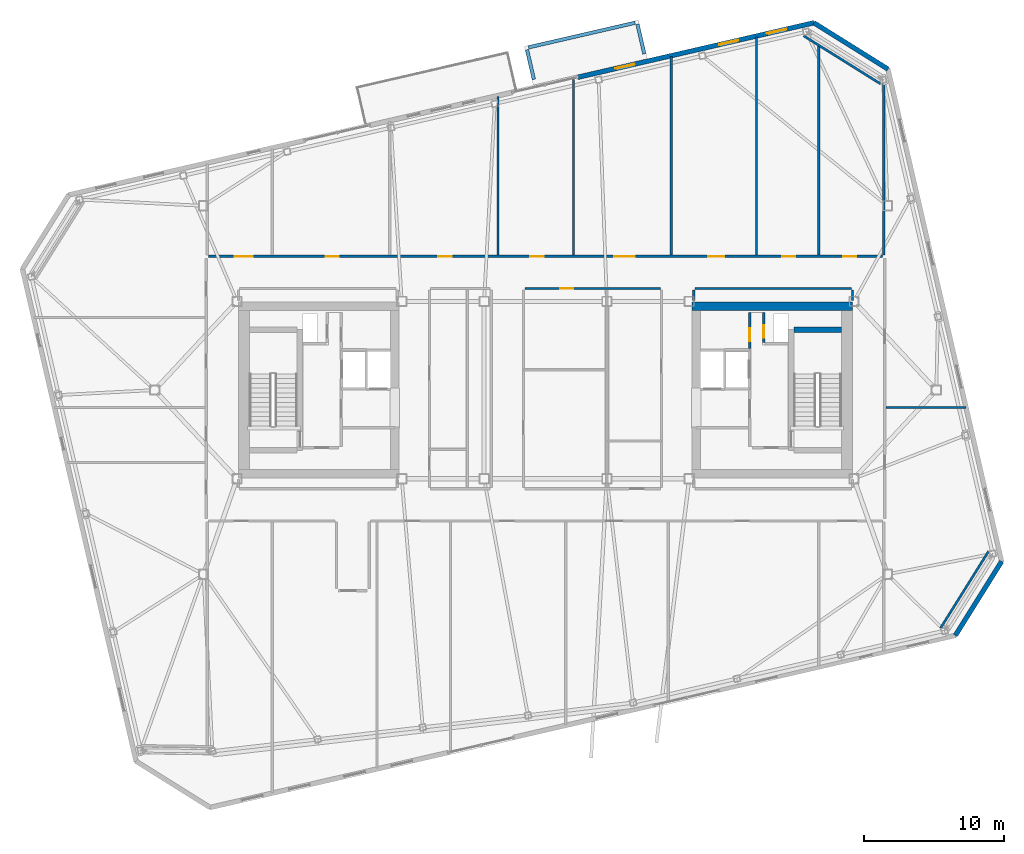
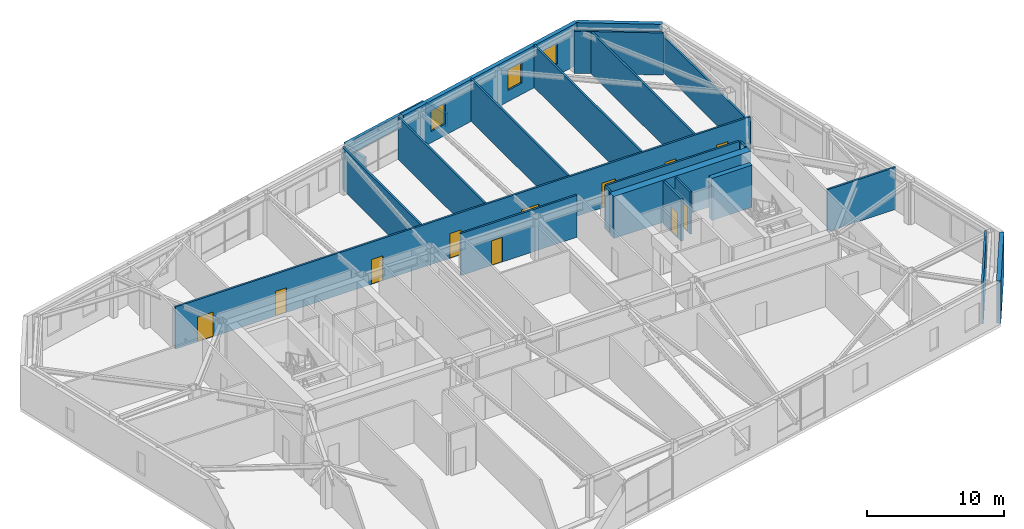
# One storey, part 19 of 24: 24 walls, 11 doors, 3 windows, 14 openings.
"""IFC4 building model written with IfcOpenShell, lengths in metres."""

from ifc_helpers import new_model, si_unit, direction, frame, frame_2d, origin, place, context, subcontext, project, spatial, rectangle, extrude, material, layer, layer_set, type_object, element, fill, save


model = new_model("IFC4")

# Units and contexts
model_context = context("Model", 3, precision=1e-05, world=origin(), true_north=direction((0.0, 1.0)))
body_context = subcontext(model_context, "Body", "Model", "MODEL_VIEW")
ifc_project = project(units=[si_unit("LENGTHUNIT", "METRE"), si_unit("AREAUNIT", "SQUARE_METRE"), si_unit("VOLUMEUNIT", "CUBIC_METRE"), si_unit("PLANEANGLEUNIT", "RADIAN"), si_unit("MASSUNIT", "GRAM", prefix="KILO")], contexts=[model_context])

# Site, building, storey
site_placement = place(None, origin())
site = spatial("IfcSite", under=ifc_project, at=site_placement, CompositionType="ELEMENT")
building_placement = place(site_placement, origin())
building = spatial("IfcBuilding", under=site, at=building_placement, Name="Tavrogorsk Clinical Tower", CompositionType="ELEMENT")
storey_placement = place(building_placement, frame((0.0, 0.0, 321.0)))
storey = spatial("IfcBuildingStorey", under=building, at=storey_placement, Name="L75", CompositionType="ELEMENT", Elevation=321.0)

# Wall, opening, door
ifc_material_1 = material(Name="Concrete B60", Category="concrete")
ifc_layer_1 = layer(ifc_material_1, 0.199951171875)
ifc_layer_set_1 = layer_set([ifc_layer_1], Name="Concrete B60")
wall_type_1 = type_object("IfcWallType", Name="CoreFireWall_200", PredefinedType="SOLIDWALL", material=ifc_layer_set_1)
wall_1_placement = place(storey_placement, frame((14.639892578125, 2.9599609375, 0.0), z_axis=(0.0, 0.0, 1.0), x_axis=(0.0, 1.0, 0.0)))
wall_1 = element("IfcWall", 1, at=wall_1_placement, inside=storey, type_object=wall_type_1, Name="L75 Core East North Core Room East Wall", PredefinedType="SOLIDWALL", context=body_context, shape_type="SweptSolid", body=[
    extrude(rectangle(XDim=2.60009765625, YDim=0.199951171875, at=frame_2d((1.300048828125, 0.0))), origin(), (0.0, 0.0, 1.0), 3.739990234375),
])
opening_1_placement = place(wall_1_placement, frame((0.52001953125, 0.0, 0.0)))
opening_1 = element("IfcOpeningElement", 2, at=opening_1_placement, cuts=wall_1, Name="Opening ID-02", PredefinedType="OPENING", context=body_context, shape_type="SweptSolid", body=[
    extrude(rectangle(XDim=0.949951171875, YDim=2.199951171875, at=frame_2d((0.47509765625, 1.10009765625))), frame((0.0, 0.10986328125, 0.0), z_axis=(0.0, -1.0, 0.0), x_axis=(1.0, 0.0, 0.0)), (0.0, 0.0, 1.0), 0.219970703125),
])
ifc_material_2 = material(Name="Laminated timber leaf on aluminium frame", Category="wood")
door_type_1 = type_object("IfcDoorType", Name="InteriorDoor_ID02_950", OperationType="NOTDEFINED", PredefinedType="DOOR", material=ifc_material_2)
door_1_placement = place(opening_1_placement, origin())
door_1 = element("IfcDoor", 3, at=door_1_placement, inside=storey, type_object=door_type_1, Name="L75 Core East Core Telemetry Room Door", OperationType="SINGLE_SWING_LEFT", OverallHeight=2.199951171875, OverallWidth=0.949951171875, PredefinedType="DOOR", context=body_context, shape_type="SweptSolid", body=[
    extrude(rectangle(XDim=0.949951171875, YDim=2.199951171875, at=frame_2d((0.47509765625, 1.10009765625))), frame((0.0, 0.02490234375, 0.0), z_axis=(0.0, -1.0, 0.0), x_axis=(1.0, 0.0, 0.0)), (0.0, 0.0, 1.0), 0.050048828125),
])
fill(opening_1, door_1)

# Walls
ifc_material_3 = material(Name="Lightweight concrete blockwork B15", Category="masonry")
ifc_layer_2 = layer(ifc_material_3, 0.159912109375)
ifc_layer_set_2 = layer_set([ifc_layer_2], Name="Lightweight concrete blockwork B15")
wall_type_2 = type_object("IfcWallType", Name="PartitionWall_160", PredefinedType="PARTITIONING", material=ifc_layer_set_2)
for number, where, z_axis, x_axis, name in (
    (4, (28.30029296875, -17.064697265625, 0.0), (0.0, 0.0, 1.0), (0.529914601736, 0.848051009591, 0.0), "L75 Corner Exoskeleton Brace Furring Wall 1"),
    (5, (24.018310546875, 21.9306640625, 0.0), (0.0, 0.0, 1.0), (-0.848051009591, 0.529914601736, 0.0), "L75 Corner Exoskeleton Brace Furring Wall 2"),
):
    element("IfcWall", number, at=place(storey_placement, frame(where, z_axis=z_axis, x_axis=x_axis)), inside=storey, type_object=wall_type_2, Name=name, PredefinedType="PARTITIONING", context=body_context, shape_type="SweptSolid", body=[
        extrude(rectangle(XDim=6.50537109375, YDim=0.159912109375, at=frame_2d((3.252685546875, 0.0))), origin(), (0.0, 0.0, 1.0), 3.739990234375),
    ])

# Wall, openings, doors
wall_2_placement = place(storey_placement, frame((-24.14501953125, 9.580078125, 0.0), z_axis=(0.0, 0.0, 1.0), x_axis=(1.0, 0.0, 0.0)))
wall_2 = element("IfcWall", 6, at=wall_2_placement, inside=storey, type_object=wall_type_2, Name="L75 Corridor Partition 02", PredefinedType="PARTITIONING", context=body_context, shape_type="SweptSolid", body=[
    extrude(rectangle(XDim=48.2900390625, YDim=0.159912109375, at=frame_2d((24.14501953125, 0.0))), origin(), (0.0, 0.0, 1.0), 3.739990234375),
])
opening_2_placement = place(wall_2_placement, frame((1.869140625, 0.0, 0.0)))
opening_2 = element("IfcOpeningElement", 7, at=opening_2_placement, cuts=wall_2, Name="Opening ID-01", PredefinedType="OPENING", context=body_context, shape_type="SweptSolid", body=[
    extrude(rectangle(XDim=1.300048828125, YDim=2.199951171875, at=frame_2d((0.64990234375, 1.10009765625))), frame((0.0, 0.08984375, 0.0), z_axis=(0.0, -1.0, 0.0), x_axis=(1.0, 0.0, 0.0)), (0.0, 0.0, 1.0), 0.179931640625),
])
opening_3_placement = place(wall_2_placement, frame((8.385009765625, 0.0, 0.0)))
opening_3 = element("IfcOpeningElement", 8, at=opening_3_placement, cuts=wall_2, Name="Opening ID-02", PredefinedType="OPENING", context=body_context, shape_type="SweptSolid", body=[
    extrude(rectangle(XDim=0.949951171875, YDim=2.199951171875, at=frame_2d((0.47509765625, 1.10009765625))), frame((0.0, 0.08984375, 0.0), z_axis=(0.0, -1.0, 0.0), x_axis=(1.0, 0.0, 0.0)), (0.0, 0.0, 1.0), 0.179931640625),
])
opening_4_placement = place(wall_2_placement, frame((16.47509765625, 0.0, 0.0)))
opening_4 = element("IfcOpeningElement", 9, at=opening_4_placement, cuts=wall_2, Name="Opening ID-02", PredefinedType="OPENING", context=body_context, shape_type="SweptSolid", body=[
    extrude(rectangle(XDim=0.949951171875, YDim=2.199951171875, at=frame_2d((0.47509765625, 1.10009765625))), frame((0.0, 0.08984375, 0.0), z_axis=(0.0, -1.0, 0.0), x_axis=(1.0, 0.0, 0.0)), (0.0, 0.0, 1.0), 0.179931640625),
])
opening_5_placement = place(wall_2_placement, frame((23.054931640625, 0.0, 0.0)))
opening_5 = element("IfcOpeningElement", 10, at=opening_5_placement, cuts=wall_2, Name="Opening ID-02", PredefinedType="OPENING", context=body_context, shape_type="SweptSolid", body=[
    extrude(rectangle(XDim=0.949951171875, YDim=2.199951171875, at=frame_2d((0.47509765625, 1.10009765625))), frame((0.0, 0.08984375, 0.0), z_axis=(0.0, -1.0, 0.0), x_axis=(1.0, 0.0, 0.0)), (0.0, 0.0, 1.0), 0.179931640625),
])
opening_6_placement = place(wall_2_placement, frame((29.0849609375, 0.0, 0.0)))
opening_6 = element("IfcOpeningElement", 11, at=opening_6_placement, cuts=wall_2, Name="Opening ID-05", PredefinedType="OPENING", context=body_context, shape_type="SweptSolid", body=[
    extrude(rectangle(XDim=1.449951171875, YDim=2.199951171875, at=frame_2d((0.72509765625, 1.10009765625))), frame((0.0, 0.08984375, 0.0), z_axis=(0.0, -1.0, 0.0), x_axis=(1.0, 0.0, 0.0)), (0.0, 0.0, 1.0), 0.179931640625),
])
opening_7_placement = place(wall_2_placement, frame((35.820068359375, 0.0, 0.0)))
opening_7 = element("IfcOpeningElement", 12, at=opening_7_placement, cuts=wall_2, Name="Opening ID-06", PredefinedType="OPENING", context=body_context, shape_type="SweptSolid", body=[
    extrude(rectangle(XDim=1.14990234375, YDim=2.199951171875, at=frame_2d((0.574951171875, 1.10009765625))), frame((0.0, 0.08984375, 0.0), z_axis=(0.0, -1.0, 0.0), x_axis=(1.0, 0.0, 0.0)), (0.0, 0.0, 1.0), 0.179931640625),
])
opening_8_placement = place(wall_2_placement, frame((41.10498046875, 0.0, 0.0)))
opening_8 = element("IfcOpeningElement", 13, at=opening_8_placement, cuts=wall_2, Name="Opening ID-02", PredefinedType="OPENING", context=body_context, shape_type="SweptSolid", body=[
    extrude(rectangle(XDim=0.949951171875, YDim=2.199951171875, at=frame_2d((0.47509765625, 1.10009765625))), frame((0.0, 0.08984375, 0.0), z_axis=(0.0, -1.0, 0.0), x_axis=(1.0, 0.0, 0.0)), (0.0, 0.0, 1.0), 0.179931640625),
])
opening_9_placement = place(wall_2_placement, frame((45.4658203125, 0.0, 0.0)))
opening_9 = element("IfcOpeningElement", 14, at=opening_9_placement, cuts=wall_2, Name="Opening ID-02", PredefinedType="OPENING", context=body_context, shape_type="SweptSolid", body=[
    extrude(rectangle(XDim=0.949951171875, YDim=2.199951171875, at=frame_2d((0.47509765625, 1.10009765625))), frame((0.0, 0.08984375, 0.0), z_axis=(0.0, -1.0, 0.0), x_axis=(1.0, 0.0, 0.0)), (0.0, 0.0, 1.0), 0.179931640625),
])
ifc_material_4 = material(Name="Antibacterial HPL bariatric ward double door")
door_type_2 = type_object("IfcDoorType", Name="DoubleWardDoor_ID05_1450", OperationType="DOUBLE_SWING_LEFT", PredefinedType="DOOR", material=ifc_material_4)
door_2_placement = place(opening_6_placement, origin())
door_2 = element("IfcDoor", 15, at=door_2_placement, inside=storey, type_object=door_type_2, Name="L75 North Step-Down Telemetry Ward 05A Door", OperationType="DOUBLE_SWING_LEFT", OverallHeight=2.199951171875, OverallWidth=1.449951171875, PredefinedType="DOOR", context=body_context, shape_type="SweptSolid", body=[
    extrude(rectangle(XDim=1.449951171875, YDim=2.199951171875, at=frame_2d((0.72509765625, 1.10009765625))), frame((0.0, 0.02490234375, 0.0), z_axis=(0.0, -1.0, 0.0), x_axis=(1.0, 0.0, 0.0)), (0.0, 0.0, 1.0), 0.050048828125),
])
fill(opening_6, door_2)
door_3_placement = place(opening_3_placement, origin())
door_3 = element("IfcDoor", 16, at=door_3_placement, inside=storey, type_object=door_type_1, Name="L75 North Clinical Examination Suite 02 Door", OperationType="SINGLE_SWING_RIGHT", OverallHeight=2.199951171875, OverallWidth=0.949951171875, PredefinedType="DOOR", context=body_context, shape_type="SweptSolid", body=[
    extrude(rectangle(XDim=0.949951171875, YDim=2.199951171875, at=frame_2d((0.47509765625, 1.10009765625))), frame((0.0, 0.02490234375, 0.0), z_axis=(0.0, -1.0, 0.0), x_axis=(1.0, 0.0, 0.0)), (0.0, 0.0, 1.0), 0.050048828125),
])
fill(opening_3, door_3)
door_4_placement = place(opening_4_placement, origin())
door_4 = element("IfcDoor", 17, at=door_4_placement, inside=storey, type_object=door_type_1, Name="L75 Terrace Recuperation Day Room & Lounge Door", OperationType="SINGLE_SWING_LEFT", OverallHeight=2.199951171875, OverallWidth=0.949951171875, PredefinedType="DOOR", context=body_context, shape_type="SweptSolid", body=[
    extrude(rectangle(XDim=0.949951171875, YDim=2.199951171875, at=frame_2d((0.47509765625, 1.10009765625))), frame((0.0, 0.02490234375, 0.0), z_axis=(0.0, -1.0, 0.0), x_axis=(1.0, 0.0, 0.0)), (0.0, 0.0, 1.0), 0.050048828125),
])
fill(opening_4, door_4)
door_5_placement = place(opening_5_placement, origin())
door_5 = element("IfcDoor", 18, at=door_5_placement, inside=storey, type_object=door_type_1, Name="L75 North Physiotherapy Rehab Studio 04 Door", OperationType="SINGLE_SWING_RIGHT", OverallHeight=2.199951171875, OverallWidth=0.949951171875, PredefinedType="DOOR", context=body_context, shape_type="SweptSolid", body=[
    extrude(rectangle(XDim=0.949951171875, YDim=2.199951171875, at=frame_2d((0.47509765625, 1.10009765625))), frame((0.0, 0.02490234375, 0.0), z_axis=(0.0, -1.0, 0.0), x_axis=(1.0, 0.0, 0.0)), (0.0, 0.0, 1.0), 0.050048828125),
])
fill(opening_5, door_5)
door_6_placement = place(opening_8_placement, origin())
door_6 = element("IfcDoor", 19, at=door_6_placement, inside=storey, type_object=door_type_1, Name="L75 North Physician Consultation Office 06 Door", OperationType="SINGLE_SWING_LEFT", OverallHeight=2.199951171875, OverallWidth=0.949951171875, PredefinedType="DOOR", context=body_context, shape_type="SweptSolid", body=[
    extrude(rectangle(XDim=0.949951171875, YDim=2.199951171875, at=frame_2d((0.47509765625, 1.10009765625))), frame((0.0, 0.02490234375, 0.0), z_axis=(0.0, -1.0, 0.0), x_axis=(1.0, 0.0, 0.0)), (0.0, 0.0, 1.0), 0.050048828125),
])
fill(opening_8, door_6)
door_7_placement = place(opening_9_placement, origin())
door_7 = element("IfcDoor", 20, at=door_7_placement, inside=storey, type_object=door_type_1, Name="L75 North Patient & Family Quiet Lounge 07 Door", OperationType="SINGLE_SWING_RIGHT", OverallHeight=2.199951171875, OverallWidth=0.949951171875, PredefinedType="DOOR", context=body_context, shape_type="SweptSolid", body=[
    extrude(rectangle(XDim=0.949951171875, YDim=2.199951171875, at=frame_2d((0.47509765625, 1.10009765625))), frame((0.0, 0.02490234375, 0.0), z_axis=(0.0, -1.0, 0.0), x_axis=(1.0, 0.0, 0.0)), (0.0, 0.0, 1.0), 0.050048828125),
])
fill(opening_9, door_7)
ifc_material_5 = material(Name="Antibacterial HPL procedure door on aluminium frame", Category="aluminium")
door_type_3 = type_object("IfcDoorType", Name="LabDoor_ID06_1150", OperationType="NOTDEFINED", PredefinedType="DOOR", material=ifc_material_5)
door_8_placement = place(opening_7_placement, origin())
door_8 = element("IfcDoor", 21, at=door_8_placement, inside=storey, type_object=door_type_3, Name="L75 North Clinical Examination Suite 05B Door", OperationType="SINGLE_SWING_RIGHT", OverallHeight=2.199951171875, OverallWidth=1.14990234375, PredefinedType="DOOR", context=body_context, shape_type="SweptSolid", body=[
    extrude(rectangle(XDim=1.14990234375, YDim=2.199951171875, at=frame_2d((0.574951171875, 1.10009765625))), frame((0.0, 0.02490234375, 0.0), z_axis=(0.0, -1.0, 0.0), x_axis=(1.0, 0.0, 0.0)), (0.0, 0.0, 1.0), 0.050048828125),
])
fill(opening_7, door_8)
ifc_material_6 = material(Name="Antibacterial HPL medical leaf on aluminium frame", Category="aluminium")
door_type_4 = type_object("IfcDoorType", Name="WardBedDoor_ID01_1300", OperationType="NOTDEFINED", PredefinedType="DOOR", material=ifc_material_6)
door_9_placement = place(opening_2_placement, origin())
door_9 = element("IfcDoor", 22, at=door_9_placement, inside=storey, type_object=door_type_4, Name="L75 North Inpatient Clinical Ward 01 Door", OperationType="SINGLE_SWING_LEFT", OverallHeight=2.199951171875, OverallWidth=1.300048828125, PredefinedType="DOOR", context=body_context, shape_type="SweptSolid", body=[
    extrude(rectangle(XDim=1.300048828125, YDim=2.199951171875, at=frame_2d((0.64990234375, 1.10009765625))), frame((0.0, 0.02490234375, 0.0), z_axis=(0.0, -1.0, 0.0), x_axis=(1.0, 0.0, 0.0)), (0.0, 0.0, 1.0), 0.050048828125),
])
fill(opening_2, door_9)

# Walls
wall_3_placement = place(storey_placement, frame((21.9150390625, 7.27001953125, 0.0), z_axis=(0.0, 0.0, 1.0), x_axis=(-1.0, 0.0, 0.0)))
element("IfcWall", 23, at=wall_3_placement, inside=storey, type_object=wall_type_2, Name="L75 Corridor Partition 09", PredefinedType="PARTITIONING", context=body_context, shape_type="SweptSolid", body=[
    extrude(rectangle(XDim=11.199951171875, YDim=0.159912109375, at=frame_2d((5.60009765625, 0.0))), origin(), (0.0, 0.0, 1.0), 3.739990234375),
])
for number, where, z_axis, x_axis, name in (
    (24, (10.6298828125, 7.18505859375, 0.0), (0.0, 0.0, 1.0), (0.0, -1.0, 0.0), "L75 Corridor Partition 10"),
    (25, (22.0, 6.419921875, 0.0), (0.0, 0.0, 1.0), (0.0, 1.0, 0.0), "L75 Corridor Partition 14"),
):
    element("IfcWall", number, at=place(storey_placement, frame(where, z_axis=z_axis, x_axis=x_axis)), inside=storey, type_object=wall_type_2, Name=name, PredefinedType="PARTITIONING", context=body_context, shape_type="SweptSolid", body=[
        extrude(rectangle(XDim=0.76513671875, YDim=0.159912109375, at=frame_2d((0.382568359375, 0.0))), origin(), (0.0, 0.0, 1.0), 3.739990234375),
    ])

# Wall, opening, door
wall_4_placement = place(storey_placement, frame((8.235107421875, 7.27001953125, 0.0), z_axis=(0.0, 0.0, 1.0), x_axis=(-1.0, 0.0, 0.0)))
wall_4 = element("IfcWall", 26, at=wall_4_placement, inside=storey, type_object=wall_type_2, Name="L75 Corridor Partition 15", PredefinedType="PARTITIONING", context=body_context, shape_type="SweptSolid", body=[
    extrude(rectangle(XDim=9.72021484375, YDim=0.159912109375, at=frame_2d((4.860107421875, 0.0))), origin(), (0.0, 0.0, 1.0), 3.739990234375),
])
opening_10_placement = place(wall_4_placement, frame((6.23583984375, 0.0, 0.0)))
opening_10 = element("IfcOpeningElement", 27, at=opening_10_placement, cuts=wall_4, Name="Opening ID-02", PredefinedType="OPENING", context=body_context, shape_type="SweptSolid", body=[
    extrude(rectangle(XDim=0.949951171875, YDim=2.199951171875, at=frame_2d((0.47509765625, 1.10009765625))), frame((0.0, 0.08984375, 0.0), z_axis=(0.0, -1.0, 0.0), x_axis=(1.0, 0.0, 0.0)), (0.0, 0.0, 1.0), 0.179931640625),
])
door_10_placement = place(opening_10_placement, origin())
door_10 = element("IfcDoor", 28, at=door_10_placement, inside=storey, type_object=door_type_1, Name="L75 Nurses' Station & Triage Hub Door", OperationType="SINGLE_SWING_LEFT", OverallHeight=2.199951171875, OverallWidth=0.949951171875, PredefinedType="DOOR", context=body_context, shape_type="SweptSolid", body=[
    extrude(rectangle(XDim=0.949951171875, YDim=2.199951171875, at=frame_2d((0.47509765625, 1.10009765625))), frame((0.0, 0.02490234375, 0.0), z_axis=(0.0, -1.0, 0.0), x_axis=(1.0, 0.0, 0.0)), (0.0, 0.0, 1.0), 0.050048828125),
])
fill(opening_10, door_10)

# Walls
wall_5_placement = place(storey_placement, frame((24.22998046875, 9.6650390625, 0.0), z_axis=(0.0, 0.0, 1.0), x_axis=(0.0, 1.0, 0.0)))
element("IfcWall", 29, at=wall_5_placement, inside=storey, type_object=wall_type_2, Name="L75 NE Wing Closure Partition", PredefinedType="PARTITIONING", context=body_context, shape_type="SweptSolid", body=[
    extrude(rectangle(XDim=12.90625, YDim=0.159912109375, at=frame_2d((6.453125, 0.0))), origin(), (0.0, 0.0, 1.0), 3.18505859375),
])
wall_6_placement = place(storey_placement, frame((-3.39990234375, 9.6650390625, 0.0), z_axis=(0.0, 0.0, 1.0), x_axis=(0.0, 1.0, 0.0)))
element("IfcWall", 30, at=wall_6_placement, inside=storey, type_object=wall_type_2, Name="L75 North Room Partition 3", PredefinedType="PARTITIONING", context=body_context, shape_type="SweptSolid", body=[
    extrude(rectangle(XDim=11.35498046875, YDim=0.159912109375, at=frame_2d((5.677490234375, 0.0))), origin(), (0.0, 0.0, 1.0), 3.739990234375),
])
wall_7_placement = place(storey_placement, frame((2.0, 9.6650390625, 0.0), z_axis=(0.0, 0.0, 1.0), x_axis=(0.0, 1.0, 0.0)))
element("IfcWall", 31, at=wall_7_placement, inside=storey, type_object=wall_type_2, Name="L75 North Room Partition 4", PredefinedType="PARTITIONING", context=body_context, shape_type="SweptSolid", body=[
    extrude(rectangle(XDim=12.6015625, YDim=0.159912109375, at=frame_2d((6.30078125, 0.0))), origin(), (0.0, 0.0, 1.0), 3.739990234375),
])
wall_8_placement = place(storey_placement, frame((15.1201171875, 9.6650390625, 0.0), z_axis=(0.0, 0.0, 1.0), x_axis=(0.0, 1.0, 0.0)))
element("IfcWall", 32, at=wall_8_placement, inside=storey, type_object=wall_type_2, Name="L75 North Room Partition 5", PredefinedType="PARTITIONING", context=body_context, shape_type="SweptSolid", body=[
    extrude(rectangle(XDim=15.630615234375, YDim=0.159912109375, at=frame_2d((7.8154296875, 0.0))), origin(), (0.0, 0.0, 1.0), 3.739990234375),
])
wall_9_placement = place(storey_placement, frame((19.580078125, 9.6650390625, 0.0), z_axis=(0.0, 0.0, 1.0), x_axis=(0.0, 1.0, 0.0)))
element("IfcWall", 33, at=wall_9_placement, inside=storey, type_object=wall_type_2, Name="L75 North Room Partition 6", PredefinedType="PARTITIONING", context=body_context, shape_type="SweptSolid", body=[
    extrude(rectangle(XDim=15.04833984375, YDim=0.159912109375, at=frame_2d((7.524169921875, 0.0))), origin(), (0.0, 0.0, 1.0), 3.739990234375),
])
wall_10_placement = place(storey_placement, frame((9.010009765625, 9.6650390625, 0.0), z_axis=(0.0, 0.0, 1.0), x_axis=(0.0, 1.0, 0.0)))
element("IfcWall", 34, at=wall_10_placement, inside=storey, type_object=wall_type_2, Name="L75 North Sub-Partition 5", PredefinedType="PARTITIONING", context=body_context, shape_type="SweptSolid", body=[
    extrude(rectangle(XDim=14.219970703125, YDim=0.159912109375, at=frame_2d((7.10986328125, 0.0))), origin(), (0.0, 0.0, 1.0), 3.739990234375),
])
wall_11_placement = place(storey_placement, frame((24.39501953125, -1.25, 0.0), z_axis=(0.0, 0.0, 1.0), x_axis=(1.0, 0.0, 0.0)))
element("IfcWall", 35, at=wall_11_placement, inside=storey, type_object=wall_type_2, Name="L75 E Wing Divider 1", PredefinedType="PARTITIONING", context=body_context, shape_type="SweptSolid", body=[
    extrude(rectangle(XDim=5.724853515625, YDim=0.159912109375, at=frame_2d((2.8623046875, 0.0))), origin(), (0.0, 0.0, 1.0), 3.739990234375),
])

# Wall, openings, windows
ifc_material_7 = material(Name="Precast concrete B45 with limestone cladding", Category="masonry")
ifc_layer_3 = layer(ifc_material_7, 0.340087890625)
ifc_layer_set_3 = layer_set([ifc_layer_3], Name="Precast concrete B45 with limestone cladding")
wall_type_3 = type_object("IfcWallType", Name="PrecastLimestoneWall_340", PredefinedType="STANDARD", material=ifc_layer_set_3)
wall_12_placement = place(storey_placement, frame((19.2294921875, 26.316162109375, 0.0), z_axis=(0.0, 0.0, 1.0), x_axis=(-0.974372473594, -0.224940620392, 0.0)))
wall_12 = element("IfcWall", 36, at=wall_12_placement, inside=storey, type_object=wall_type_3, Name="L75 N Limestone Facade Wall 1", PredefinedType="STANDARD", context=body_context, shape_type="SweptSolid", body=[
    extrude(rectangle(XDim=17.36572265625, YDim=0.340087890625, at=frame_2d((8.682861328125, 0.0))), origin(), (0.0, 0.0, 1.0), 3.739990234375),
])
opening_11_placement = place(wall_12_placement, frame((13.187255859375, 0.0, 1.0)))
opening_11 = element("IfcOpeningElement", 37, at=opening_11_placement, cuts=wall_12, Name="Opening WN-17", PredefinedType="OPENING", context=body_context, shape_type="SweptSolid", body=[
    extrude(rectangle(XDim=1.39990234375, YDim=1.85009765625, at=frame_2d((0.699951171875, 0.925048828125))), frame((0.0, 0.179931640625, 0.0), z_axis=(0.0, -1.0, 0.0), x_axis=(1.0, 0.0, 0.0)), (0.0, 0.0, 1.0), 0.360107421875),
])
opening_12_placement = place(wall_12_placement, frame((5.552978515625, 0.0, 1.0)))
opening_12 = element("IfcOpeningElement", 38, at=opening_12_placement, cuts=wall_12, Name="Opening WN-17", PredefinedType="OPENING", context=body_context, shape_type="SweptSolid", body=[
    extrude(rectangle(XDim=1.39990234375, YDim=1.85009765625, at=frame_2d((0.699951171875, 0.925048828125))), frame((0.0, 0.179931640625, 0.0), z_axis=(0.0, -1.0, 0.0), x_axis=(1.0, 0.0, 0.0)), (0.0, 0.0, 1.0), 0.360107421875),
])
opening_13_placement = place(wall_12_placement, frame((2.041259765625, 0.0, 1.0)))
opening_13 = element("IfcOpeningElement", 39, at=opening_13_placement, cuts=wall_12, Name="Opening WN-17", PredefinedType="OPENING", context=body_context, shape_type="SweptSolid", body=[
    extrude(rectangle(XDim=1.39990234375, YDim=1.85009765625, at=frame_2d((0.699951171875, 0.925048828125))), frame((0.0, 0.179931640625, 0.0), z_axis=(0.0, -1.0, 0.0), x_axis=(1.0, 0.0, 0.0)), (0.0, 0.0, 1.0), 0.360107421875),
])
ifc_material_8 = material(Name="Thermally broken aluminium frame and triple IGU", Category="aluminium")
window_type = type_object("IfcWindowType", Name="TelemetryWin_1400x1850", PartitioningType="SINGLE_PANEL", PredefinedType="WINDOW", material=ifc_material_8)
window_1_placement = place(opening_11_placement, origin())
window_1 = element("IfcWindow", 40, at=window_1_placement, inside=storey, type_object=window_type, Name="L75 N Chicago Window 07", OverallHeight=1.85009765625, OverallWidth=1.39990234375, PartitioningType="SINGLE_PANEL", PredefinedType="WINDOW", context=body_context, shape_type="SweptSolid", body=[
    extrude(rectangle(XDim=1.39990234375, YDim=1.85009765625, at=frame_2d((0.699951171875, 0.925048828125))), frame((0.0, 0.030029296875, 0.0), z_axis=(0.0, -1.0, 0.0), x_axis=(1.0, 0.0, 0.0)), (0.0, 0.0, 1.0), 0.06005859375),
])
fill(opening_11, window_1)
window_2_placement = place(opening_12_placement, origin())
window_2 = element("IfcWindow", 41, at=window_2_placement, inside=storey, type_object=window_type, Name="L75 N Chicago Window 09", OverallHeight=1.85009765625, OverallWidth=1.39990234375, PartitioningType="SINGLE_PANEL", PredefinedType="WINDOW", context=body_context, shape_type="SweptSolid", body=[
    extrude(rectangle(XDim=1.39990234375, YDim=1.85009765625, at=frame_2d((0.699951171875, 0.925048828125))), frame((0.0, 0.030029296875, 0.0), z_axis=(0.0, -1.0, 0.0), x_axis=(1.0, 0.0, 0.0)), (0.0, 0.0, 1.0), 0.06005859375),
])
fill(opening_12, window_2)
window_3_placement = place(opening_13_placement, origin())
window_3 = element("IfcWindow", 42, at=window_3_placement, inside=storey, type_object=window_type, Name="L75 N Chicago Window 10", OverallHeight=1.85009765625, OverallWidth=1.39990234375, PartitioningType="SINGLE_PANEL", PredefinedType="WINDOW", context=body_context, shape_type="SweptSolid", body=[
    extrude(rectangle(XDim=1.39990234375, YDim=1.85009765625, at=frame_2d((0.699951171875, 0.925048828125))), frame((0.0, 0.030029296875, 0.0), z_axis=(0.0, -1.0, 0.0), x_axis=(1.0, 0.0, 0.0)), (0.0, 0.0, 1.0), 0.06005859375),
])
fill(opening_13, window_3)

# Walls
for number, where, z_axis, x_axis, name in (
    (43, (29.365966796875, -17.5888671875, 0.0), (0.0, 0.0, 1.0), (0.529907862057, 0.848055220921, 0.0), "L75 Chamfered Corner Wall 1"),
    (44, (24.54248046875, 22.996337890625, 0.0), (0.0, 0.0, 1.0), (-0.848055220921, 0.529907862057, 0.0), "L75 Chamfered Corner Wall 2"),
):
    element("IfcWall", number, at=place(storey_placement, frame(where, z_axis=z_axis, x_axis=x_axis)), inside=storey, type_object=wall_type_3, Name=name, PredefinedType="STANDARD", context=body_context, shape_type="SweptSolid", body=[
        extrude(rectangle(XDim=6.264892578125, YDim=0.340087890625, at=frame_2d((3.13232421875, 0.0))), origin(), (0.0, 0.0, 1.0), 3.739990234375),
    ])
ifc_material_9 = material(Name="Concrete B60", Category="concrete")
ifc_layer_4 = layer(ifc_material_9, 0.25)
ifc_layer_set_4 = layer_set([ifc_layer_4], Name="Concrete B60")
wall_type_4 = type_object("IfcWallType", Name="RoofParapetWall_250", PredefinedType="PARAPET", material=ifc_layer_set_4)
wall_13_placement = place(storey_placement, frame((-0.83203125, 22.259521484375, 0.0), z_axis=(0.0, 0.0, 1.0), x_axis=(-0.224998554752, 0.974359097232, 0.0)))
element("IfcWall", 45, at=wall_13_placement, inside=storey, type_object=wall_type_4, Name="L75 Day-Room Roof Coping Parapet DRB-10-1", PredefinedType="PARAPET", context=body_context, shape_type="SweptSolid", body=[
    extrude(rectangle(XDim=2.179931640625, YDim=0.25, at=frame_2d((1.08984375, 0.0))), origin(), (0.0, 0.0, 1.0), 1.14990234375),
])
wall_14_placement = place(storey_placement, frame((-1.217529296875, 24.551513671875, 0.0), z_axis=(0.0, 0.0, 1.0), x_axis=(0.974375973266, 0.224925460368, 0.0)))
element("IfcWall", 46, at=wall_14_placement, inside=storey, type_object=wall_type_4, Name="L75 Day-Room Roof Coping Parapet DRB-10-2", PredefinedType="PARAPET", context=body_context, shape_type="SweptSolid", body=[
    extrude(rectangle(XDim=7.840087890625, YDim=0.25, at=frame_2d((3.919921875, 0.0))), origin(), (0.0, 0.0, 1.0), 1.14990234375),
])
wall_15_placement = place(storey_placement, frame((6.589599609375, 26.210205078125, 0.0), z_axis=(0.0, 0.0, 1.0), x_axis=(0.224867685436, -0.974389308258, 0.0)))
element("IfcWall", 47, at=wall_15_placement, inside=storey, type_object=wall_type_4, Name="L75 Day-Room Roof Coping Parapet DRB-10-3", PredefinedType="PARAPET", context=body_context, shape_type="SweptSolid", body=[
    extrude(rectangle(XDim=2.18017578125, YDim=0.25, at=frame_2d((1.090087890625, 0.0))), origin(), (0.0, 0.0, 1.0), 1.14990234375),
])

# Wall, opening, door
ifc_material_10 = material(Name="Lightweight concrete blockwork B25", Category="masonry")
ifc_layer_5 = layer(ifc_material_10, 0.159912109375)
ifc_layer_set_5 = layer_set([ifc_layer_5], Name="Lightweight concrete blockwork B25")
wall_type_5 = type_object("IfcWallType", Name="ShaftWall_160", PredefinedType="PARTITIONING", material=ifc_layer_set_5)
wall_16_placement = place(storey_placement, frame((15.639892578125, 3.405029296875, 0.0), z_axis=(0.0, 0.0, 1.0), x_axis=(0.0, 1.0, 0.0)))
wall_16 = element("IfcWall", 48, at=wall_16_placement, inside=storey, type_object=wall_type_5, Name="L75 Core East Riser West Wall", PredefinedType="PARTITIONING", context=body_context, shape_type="SweptSolid", body=[
    extrude(rectangle(XDim=2.155029296875, YDim=0.159912109375, at=frame_2d((1.07763671875, 0.0))), origin(), (0.0, 0.0, 1.0), 3.739990234375),
])
opening_14_placement = place(wall_16_placement, frame((0.35009765625, 0.0, 0.0)))
opening_14 = element("IfcOpeningElement", 49, at=opening_14_placement, cuts=wall_16, Name="Opening FD-02", PredefinedType="OPENING", context=body_context, shape_type="SweptSolid", body=[
    extrude(rectangle(XDim=0.89990234375, YDim=2.199951171875, at=frame_2d((0.449951171875, 1.10009765625))), frame((0.0, 0.08984375, 0.0), z_axis=(0.0, -1.0, 0.0), x_axis=(1.0, 0.0, 0.0)), (0.0, 0.0, 1.0), 0.179931640625),
])
ifc_material_11 = material(Name="Galvanised steel fire-rated door assembly", Category="steel")
door_type_5 = type_object("IfcDoorType", Name="FireDoor_FD02_900", OperationType="NOTDEFINED", PredefinedType="DOOR", material=ifc_material_11)
door_11_placement = place(opening_14_placement, origin())
door_11 = element("IfcDoor", 50, at=door_11_placement, inside=storey, type_object=door_type_5, Name="L75 Core East Electrical Riser Access Door", OperationType="SINGLE_SWING_LEFT", OverallHeight=2.199951171875, OverallWidth=0.89990234375, PredefinedType="DOOR", context=body_context, shape_type="SweptSolid", body=[
    extrude(rectangle(XDim=0.89990234375, YDim=2.199951171875, at=frame_2d((0.449951171875, 1.10009765625))), frame((0.0, 0.02490234375, 0.0), z_axis=(0.0, -1.0, 0.0), x_axis=(1.0, 0.0, 0.0)), (0.0, 0.0, 1.0), 0.050048828125),
])
fill(opening_14, door_11)

# Walls
ifc_material_12 = material(Name="Concrete B80", Category="concrete")
ifc_layer_6 = layer(ifc_material_12, 0.39990234375)
ifc_layer_set_6 = layer_set([ifc_layer_6], Name="Concrete B80")
wall_type_6 = type_object("IfcWallType", Name="ShearWall_400", PredefinedType="SHEAR", material=ifc_layer_set_6)
wall_17_placement = place(storey_placement, frame((17.800048828125, 4.324951171875, 0.0), z_axis=(0.0, 0.0, 1.0), x_axis=(1.0, 0.0, 0.0)))
element("IfcWall", 51, at=wall_17_placement, inside=storey, type_object=wall_type_6, Name="L75 Core East Stair Shaft North Shear Wall", PredefinedType="SHEAR", context=body_context, shape_type="SweptSolid", body=[
    extrude(rectangle(XDim=3.39990234375, YDim=0.39990234375, at=frame_2d((1.699951171875, 0.0))), origin(), (0.0, 0.0, 1.0), 3.739990234375),
])
ifc_material_13 = material(Name="Concrete B80", Category="concrete")
ifc_layer_7 = layer(ifc_material_13, 0.60009765625)
ifc_layer_set_7 = layer_set([ifc_layer_7], Name="Concrete B80")
wall_type_7 = type_object("IfcWallType", Name="ShearWall_600", PredefinedType="SHEAR", material=ifc_layer_set_7)
wall_18_placement = place(storey_placement, frame((10.5, 6.0, 0.0), z_axis=(0.0, 0.0, 1.0), x_axis=(1.0, 0.0, 0.0)))
element("IfcWall", 52, at=wall_18_placement, inside=storey, type_object=wall_type_7, Name="L75 Core East North Shear Wall", PredefinedType="SHEAR", context=body_context, shape_type="SweptSolid", body=[
    extrude(rectangle(XDim=11.5, YDim=0.60009765625, at=frame_2d((5.75, 0.0))), origin(), (0.0, 0.0, 1.0), 3.739990234375),
])

save(model, "model.ifc")
